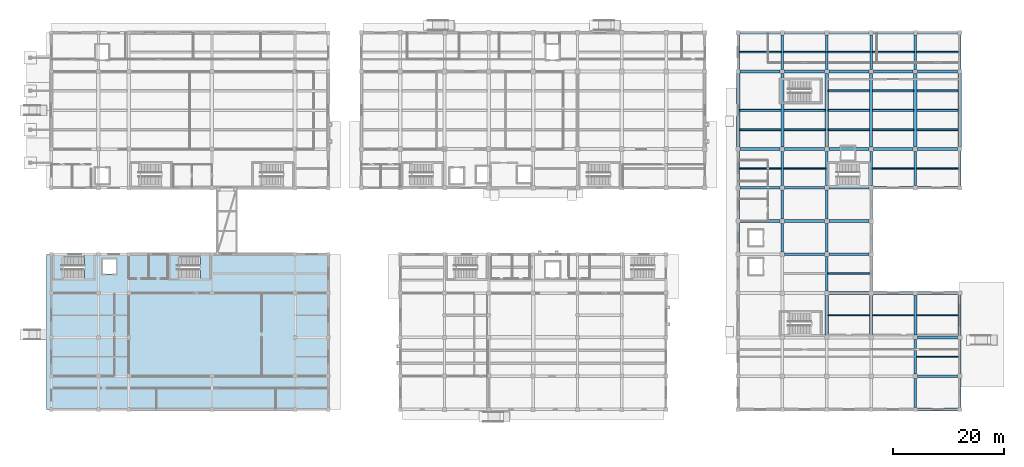
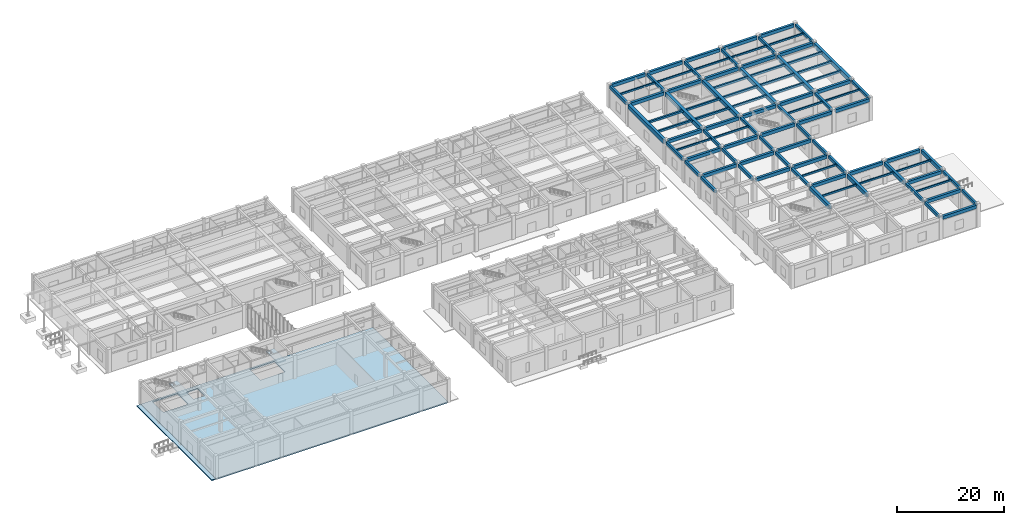
# One storey, part 11 of 40: 94 beams, 4 slabs, 2 elements without a shape of their own.
"""IFC4 building model written with IfcOpenShell, lengths in metres."""

from ifc_helpers import new_model, si_unit, direction, frame, origin, origin_2d, place, context, subcontext, project, spatial, polyline, rectangle, outline, extrude, material, layer, layer_set, material_profile, profile_set, type_object, element, aggregate, save


model = new_model("IFC4")

# Units and contexts
model_context = context("Model", 3, precision=1e-05, world=origin(), true_north=direction((0.0, 1.0)))
body_context = subcontext(model_context, "Body", "Model", "MODEL_VIEW")
ifc_project = project(units=[si_unit("LENGTHUNIT", "METRE"), si_unit("AREAUNIT", "SQUARE_METRE"), si_unit("VOLUMEUNIT", "CUBIC_METRE"), si_unit("PLANEANGLEUNIT", "RADIAN"), si_unit("MASSUNIT", "GRAM", prefix="KILO")], contexts=[model_context])

# Site, building, storey
site_placement = place(None, origin())
site = spatial("IfcSite", under=ifc_project, at=site_placement, CompositionType="ELEMENT")
building_placement = place(site_placement, origin())
building = spatial("IfcBuilding", under=site, at=building_placement, Name="Naurynzar Civic Courthouse", CompositionType="ELEMENT")
storey_placement = place(building_placement, origin())
storey = spatial("IfcBuildingStorey", under=building, at=storey_placement, Name="L01", CompositionType="ELEMENT", Elevation=0.0)

# Beams
ifc_material_1 = material(Name="Concrete C40/50", Category="concrete")
ifc_material_profile_1 = material_profile(ifc_material_1, rectangle(XDim=0.25, YDim=0.39990234375, at=origin_2d()), Name="RCB 250x400")
ifc_profile_set_1 = profile_set([ifc_material_profile_1], Name="Concrete C40/50")
beam_type_1 = type_object("IfcBeamType", Name="BM-JST-250x400", PredefinedType="JOIST", material=ifc_profile_set_1)
beam_1_placement = place(storey_placement, frame((162.22509765625, 13.5, 4.89990234375), z_axis=(1.0, 0.0, 0.0), x_axis=(0.0, 1.0, 0.0)))
element("IfcBeam", 1, at=beam_1_placement, inside=storey, type_object=beam_type_1, Name="V5 secondary rib 2223 L01", PredefinedType="JOIST", context=body_context, shape_type="SweptSolid", body=[
    extrude(rectangle(XDim=0.25, YDim=0.39990234375, at=origin_2d()), origin(), (0.0, 0.0, 1.0), 7.5498046875),
])
for number, where, z_axis, x_axis, name in (
    (2, (146.27490234375, 21.0, 4.89990234375), (1.0, 0.0, 0.0), (0.0, 1.0, 0.0), "V5 secondary rib 2224 L01"),
    (3, (154.27490234375, 21.0, 4.89990234375), (1.0, 0.0, 0.0), (0.0, 1.0, 0.0), "V5 secondary rib 2225 L01"),
    (4, (162.27490234375, 21.0, 4.89990234375), (1.0, 0.0, 0.0), (0.0, 1.0, 0.0), "V5 secondary rib 2226 L01"),
):
    element("IfcBeam", number, at=place(storey_placement, frame(where, z_axis=z_axis, x_axis=x_axis)), inside=storey, type_object=beam_type_1, Name=name, PredefinedType="JOIST", context=body_context, shape_type="SweptSolid", body=[
        extrude(rectangle(XDim=0.25, YDim=0.39990234375, at=origin_2d()), origin(), (0.0, 0.0, 1.0), 7.4501953125),
    ])
for number, where, z_axis, x_axis, name in (
    (5, (146.22509765625, 28.5, 4.89990234375), (1.0, 0.0, 0.0), (0.0, 1.0, 0.0), "V5 secondary rib 2228 L01"),
    (6, (130.22509765625, 47.5, 4.89990234375), (1.0, 0.0, 0.0), (0.0, 1.0, 0.0), "V5 secondary rib 2229 L01"),
    (7, (138.22509765625, 47.5, 4.89990234375), (1.0, 0.0, 0.0), (0.0, 1.0, 0.0), "V5 secondary rib 2230 L01"),
    (8, (154.22509765625, 47.5, 4.89990234375), (1.0, 0.0, 0.0), (0.0, 1.0, 0.0), "V5 secondary rib 2231 L01"),
    (9, (162.22509765625, 47.5, 4.89990234375), (1.0, 0.0, 0.0), (0.0, 1.0, 0.0), "V5 secondary rib 2232 L01"),
    (10, (130.22509765625, 68.5, 4.89990234375), (1.0, 0.0, 0.0), (0.0, 1.0, 0.0), "V5 secondary rib 2246 L01"),
    (11, (138.22509765625, 68.5, 4.89990234375), (1.0, 0.0, 0.0), (0.0, 1.0, 0.0), "V5 secondary rib 2247 L01"),
    (12, (146.22509765625, 68.5, 4.89990234375), (1.0, 0.0, 0.0), (0.0, 1.0, 0.0), "V5 secondary rib 2248 L01"),
    (13, (154.22509765625, 68.5, 4.89990234375), (1.0, 0.0, 0.0), (0.0, 1.0, 0.0), "V5 secondary rib 2249 L01"),
    (14, (162.22509765625, 68.5, 4.89990234375), (1.0, 0.0, 0.0), (0.0, 1.0, 0.0), "V5 secondary rib 2250 L01"),
):
    element("IfcBeam", number, at=place(storey_placement, frame(where, z_axis=z_axis, x_axis=x_axis)), inside=storey, type_object=beam_type_1, Name=name, PredefinedType="JOIST", context=body_context, shape_type="SweptSolid", body=[
        extrude(rectangle(XDim=0.25, YDim=0.39990234375, at=origin_2d()), origin(), (0.0, 0.0, 1.0), 7.5498046875),
    ])
ifc_material_2 = material(Name="Concrete C40/50", Category="concrete")
ifc_material_profile_2 = material_profile(ifc_material_2, rectangle(XDim=0.60009765625, YDim=0.949951171875, at=origin_2d()), Name="PTB 600x950")
ifc_profile_set_2 = profile_set([ifc_material_profile_2], Name="Concrete C40/50")
beam_type_2 = type_object("IfcBeamType", Name="BM-PT-600x950", PredefinedType="T_BEAM", material=ifc_profile_set_2)
beam_2_placement = place(storey_placement, frame((130.0, 51.375, 4.625), z_axis=(0.0, 1.0, 0.0), x_axis=(-1.0, 0.0, 0.0)))
element("IfcBeam", 15, at=beam_2_placement, inside=storey, type_object=beam_type_2, Name="V5 girder Y-2178 L01", PredefinedType="T_BEAM", context=body_context, shape_type="SweptSolid", body=[
    extrude(rectangle(XDim=0.60009765625, YDim=0.949951171875, at=origin_2d()), origin(), (0.0, 0.0, 1.0), 13.25),
])
for number, where, z_axis, x_axis, name in (
    (16, (138.0, 51.39990234375, 4.625), (0.0, 1.0, 0.0), (-1.0, 0.0, 0.0), "V5 girder Y-2187 L01"),
    (17, (146.0, 51.39990234375, 4.625), (0.0, 1.0, 0.0), (-1.0, 0.0, 0.0), "V5 girder Y-2196 L01"),
    (18, (154.0, 51.39990234375, 4.625), (0.0, 1.0, 0.0), (-1.0, 0.0, 0.0), "V5 girder Y-2205 L01"),
    (19, (162.0, 51.39990234375, 4.625), (0.0, 1.0, 0.0), (-1.0, 0.0, 0.0), "V5 girder Y-2211 L01"),
):
    element("IfcBeam", number, at=place(storey_placement, frame(where, z_axis=z_axis, x_axis=x_axis)), inside=storey, type_object=beam_type_2, Name=name, PredefinedType="T_BEAM", context=body_context, shape_type="SweptSolid", body=[
        extrude(rectangle(XDim=0.60009765625, YDim=0.949951171875, at=origin_2d()), origin(), (0.0, 0.0, 1.0), 13.2001953125),
    ])
beam_3_placement = place(storey_placement, frame((170.0, 51.375, 4.625), z_axis=(0.0, 1.0, 0.0), x_axis=(-1.0, 0.0, 0.0)))
element("IfcBeam", 20, at=beam_3_placement, inside=storey, type_object=beam_type_2, Name="V5 girder Y-2217 L01", PredefinedType="T_BEAM", context=body_context, shape_type="SweptSolid", body=[
    extrude(rectangle(XDim=0.60009765625, YDim=0.949951171875, at=origin_2d()), origin(), (0.0, 0.0, 1.0), 13.25),
])
ifc_material_3 = material(Name="Concrete C40/50", Category="concrete")
ifc_material_profile_3 = material_profile(ifc_material_3, rectangle(XDim=0.35009765625, YDim=0.449951171875, at=origin_2d()), Name="RCB 350x450")
ifc_profile_set_3 = profile_set([ifc_material_profile_3], Name="Concrete C40/50")
beam_type_3 = type_object("IfcBeamType", Name="BM-RC-350x450", PredefinedType="BEAM", material=ifc_profile_set_3)
for number, where, z_axis, x_axis, name in (
    (21, (130.300048828125, 54.5, 4.875), (1.0, 0.0, 0.0), (0.0, 1.0, 0.0), "V5 secondary rib 2233 L01"),
    (22, (130.300048828125, 58.0, 4.875), (1.0, 0.0, 0.0), (0.0, 1.0, 0.0), "V5 secondary rib 2234 L01"),
    (23, (138.300048828125, 54.5, 4.875), (1.0, 0.0, 0.0), (0.0, 1.0, 0.0), "V5 secondary rib 2235 L01"),
    (24, (138.300048828125, 58.0, 4.875), (1.0, 0.0, 0.0), (0.0, 1.0, 0.0), "V5 secondary rib 2236 L01"),
    (25, (146.300048828125, 54.5, 4.875), (1.0, 0.0, 0.0), (0.0, 1.0, 0.0), "V5 secondary rib 2237 L01"),
    (26, (146.300048828125, 58.0, 4.875), (1.0, 0.0, 0.0), (0.0, 1.0, 0.0), "V5 secondary rib 2238 L01"),
    (27, (146.300048828125, 61.5, 4.875), (1.0, 0.0, 0.0), (0.0, 1.0, 0.0), "V5 secondary rib 2239 L01"),
    (28, (154.300048828125, 54.5, 4.875), (1.0, 0.0, 0.0), (0.0, 1.0, 0.0), "V5 secondary rib 2240 L01"),
    (29, (154.300048828125, 58.0, 4.875), (1.0, 0.0, 0.0), (0.0, 1.0, 0.0), "V5 secondary rib 2241 L01"),
    (30, (154.300048828125, 61.5, 4.875), (1.0, 0.0, 0.0), (0.0, 1.0, 0.0), "V5 secondary rib 2242 L01"),
    (31, (162.300048828125, 54.5, 4.875), (1.0, 0.0, 0.0), (0.0, 1.0, 0.0), "V5 secondary rib 2243 L01"),
    (32, (162.300048828125, 58.0, 4.875), (1.0, 0.0, 0.0), (0.0, 1.0, 0.0), "V5 secondary rib 2244 L01"),
    (33, (162.300048828125, 61.5, 4.875), (1.0, 0.0, 0.0), (0.0, 1.0, 0.0), "V5 secondary rib 2245 L01"),
):
    element("IfcBeam", number, at=place(storey_placement, frame(where, z_axis=z_axis, x_axis=x_axis)), inside=storey, type_object=beam_type_3, Name=name, PredefinedType="BEAM", context=body_context, shape_type="SweptSolid", body=[
        extrude(rectangle(XDim=0.35009765625, YDim=0.449951171875, at=origin_2d()), origin(), (0.0, 0.0, 1.0), 7.39990234375),
    ])
ifc_material_4 = material(Name="Concrete C40/50", Category="concrete")
ifc_material_profile_4 = material_profile(ifc_material_4, rectangle(XDim=0.449951171875, YDim=0.64990234375, at=origin_2d()), Name="RCB 450x650")
ifc_profile_set_4 = profile_set([ifc_material_profile_4], Name="Concrete C40/50")
beam_type_4 = type_object("IfcBeamType", Name="BM-RC-450x650", PredefinedType="BEAM", material=ifc_profile_set_4)
for number, where, z_axis, x_axis, name in (
    (34, (130.0, 32.375, 4.77490234375), (0.0, 1.0, 0.0), (-1.0, 0.0, 0.0), "V5 girder Y-2175 L01"),
    (35, (130.0, 38.375, 4.77490234375), (0.0, 1.0, 0.0), (-1.0, 0.0, 0.0), "V5 girder Y-2176 L01"),
):
    element("IfcBeam", number, at=place(storey_placement, frame(where, z_axis=z_axis, x_axis=x_axis)), inside=storey, type_object=beam_type_4, Name=name, PredefinedType="BEAM", context=body_context, shape_type="SweptSolid", body=[
        extrude(rectangle(XDim=0.449951171875, YDim=0.64990234375, at=origin_2d()), origin(), (0.0, 0.0, 1.0), 5.25),
    ])
for number, where, z_axis, x_axis, name in (
    (36, (130.0, 44.375, 4.77490234375), (0.0, 1.0, 0.0), (-1.0, 0.0, 0.0), "V5 girder Y-2177 L01"),
    (37, (130.0, 65.375, 4.77490234375), (0.0, 1.0, 0.0), (-1.0, 0.0, 0.0), "V5 girder Y-2179 L01"),
):
    element("IfcBeam", number, at=place(storey_placement, frame(where, z_axis=z_axis, x_axis=x_axis)), inside=storey, type_object=beam_type_4, Name=name, PredefinedType="BEAM", context=body_context, shape_type="SweptSolid", body=[
        extrude(rectangle(XDim=0.449951171875, YDim=0.64990234375, at=origin_2d()), origin(), (0.0, 0.0, 1.0), 6.25),
    ])
for number, where, z_axis, x_axis, name in (
    (38, (138.0, 32.39990234375, 4.77490234375), (0.0, 1.0, 0.0), (-1.0, 0.0, 0.0), "V5 girder Y-2184 L01"),
    (39, (138.0, 38.39990234375, 4.77490234375), (0.0, 1.0, 0.0), (-1.0, 0.0, 0.0), "V5 girder Y-2185 L01"),
):
    element("IfcBeam", number, at=place(storey_placement, frame(where, z_axis=z_axis, x_axis=x_axis)), inside=storey, type_object=beam_type_4, Name=name, PredefinedType="BEAM", context=body_context, shape_type="SweptSolid", body=[
        extrude(rectangle(XDim=0.449951171875, YDim=0.64990234375, at=origin_2d()), origin(), (0.0, 0.0, 1.0), 5.2001953125),
    ])
beam_4_placement = place(storey_placement, frame((138.0, 44.39990234375, 4.77490234375), z_axis=(0.0, 1.0, 0.0), x_axis=(-1.0, 0.0, 0.0)))
element("IfcBeam", 40, at=beam_4_placement, inside=storey, type_object=beam_type_4, Name="V5 girder Y-2186 L01", PredefinedType="BEAM", context=body_context, shape_type="SweptSolid", body=[
    extrude(rectangle(XDim=0.449951171875, YDim=0.64990234375, at=origin_2d()), origin(), (0.0, 0.0, 1.0), 6.2001953125),
])
beam_5_placement = place(storey_placement, frame((138.0, 65.39990234375, 4.77490234375), z_axis=(0.0, 1.0, 0.0), x_axis=(-1.0, 0.0, 0.0)))
element("IfcBeam", 41, at=beam_5_placement, inside=storey, type_object=beam_type_4, Name="V5 girder Y-2188 L01", PredefinedType="BEAM", context=body_context, shape_type="SweptSolid", body=[
    extrude(rectangle(XDim=0.449951171875, YDim=0.64990234375, at=origin_2d()), origin(), (0.0, 0.0, 1.0), 6.22509765625),
])
beam_6_placement = place(storey_placement, frame((146.0, 25.39990234375, 4.77490234375), z_axis=(0.0, 1.0, 0.0), x_axis=(-1.0, 0.0, 0.0)))
element("IfcBeam", 42, at=beam_6_placement, inside=storey, type_object=beam_type_4, Name="V5 girder Y-2192 L01", PredefinedType="BEAM", context=body_context, shape_type="SweptSolid", body=[
    extrude(rectangle(XDim=0.449951171875, YDim=0.64990234375, at=origin_2d()), origin(), (0.0, 0.0, 1.0), 6.2001953125),
])
for number, where, z_axis, x_axis, name in (
    (43, (146.0, 32.39990234375, 4.77490234375), (0.0, 1.0, 0.0), (-1.0, 0.0, 0.0), "V5 girder Y-2193 L01"),
    (44, (146.0, 38.39990234375, 4.77490234375), (0.0, 1.0, 0.0), (-1.0, 0.0, 0.0), "V5 girder Y-2194 L01"),
):
    element("IfcBeam", number, at=place(storey_placement, frame(where, z_axis=z_axis, x_axis=x_axis)), inside=storey, type_object=beam_type_4, Name=name, PredefinedType="BEAM", context=body_context, shape_type="SweptSolid", body=[
        extrude(rectangle(XDim=0.449951171875, YDim=0.64990234375, at=origin_2d()), origin(), (0.0, 0.0, 1.0), 5.2001953125),
    ])
beam_7_placement = place(storey_placement, frame((146.0, 44.39990234375, 4.77490234375), z_axis=(0.0, 1.0, 0.0), x_axis=(-1.0, 0.0, 0.0)))
element("IfcBeam", 45, at=beam_7_placement, inside=storey, type_object=beam_type_4, Name="V5 girder Y-2195 L01", PredefinedType="BEAM", context=body_context, shape_type="SweptSolid", body=[
    extrude(rectangle(XDim=0.449951171875, YDim=0.64990234375, at=origin_2d()), origin(), (0.0, 0.0, 1.0), 6.2001953125),
])
beam_8_placement = place(storey_placement, frame((146.0, 65.39990234375, 4.77490234375), z_axis=(0.0, 1.0, 0.0), x_axis=(-1.0, 0.0, 0.0)))
element("IfcBeam", 46, at=beam_8_placement, inside=storey, type_object=beam_type_4, Name="V5 girder Y-2197 L01", PredefinedType="BEAM", context=body_context, shape_type="SweptSolid", body=[
    extrude(rectangle(XDim=0.449951171875, YDim=0.64990234375, at=origin_2d()), origin(), (0.0, 0.0, 1.0), 6.22509765625),
])
beam_9_placement = place(storey_placement, frame((154.0, 25.39990234375, 4.77490234375), z_axis=(0.0, 1.0, 0.0), x_axis=(-1.0, 0.0, 0.0)))
element("IfcBeam", 47, at=beam_9_placement, inside=storey, type_object=beam_type_4, Name="V5 girder Y-2201 L01", PredefinedType="BEAM", context=body_context, shape_type="SweptSolid", body=[
    extrude(rectangle(XDim=0.449951171875, YDim=0.64990234375, at=origin_2d()), origin(), (0.0, 0.0, 1.0), 6.2001953125),
])
for number, where, z_axis, x_axis, name in (
    (48, (154.0, 32.39990234375, 4.77490234375), (0.0, 1.0, 0.0), (-1.0, 0.0, 0.0), "V5 girder Y-2202 L01"),
    (49, (154.0, 38.39990234375, 4.77490234375), (0.0, 1.0, 0.0), (-1.0, 0.0, 0.0), "V5 girder Y-2203 L01"),
):
    element("IfcBeam", number, at=place(storey_placement, frame(where, z_axis=z_axis, x_axis=x_axis)), inside=storey, type_object=beam_type_4, Name=name, PredefinedType="BEAM", context=body_context, shape_type="SweptSolid", body=[
        extrude(rectangle(XDim=0.449951171875, YDim=0.64990234375, at=origin_2d()), origin(), (0.0, 0.0, 1.0), 5.2001953125),
    ])
beam_10_placement = place(storey_placement, frame((154.0, 44.39990234375, 4.77490234375), z_axis=(0.0, 1.0, 0.0), x_axis=(-1.0, 0.0, 0.0)))
element("IfcBeam", 50, at=beam_10_placement, inside=storey, type_object=beam_type_4, Name="V5 girder Y-2204 L01", PredefinedType="BEAM", context=body_context, shape_type="SweptSolid", body=[
    extrude(rectangle(XDim=0.449951171875, YDim=0.64990234375, at=origin_2d()), origin(), (0.0, 0.0, 1.0), 6.2001953125),
])
beam_11_placement = place(storey_placement, frame((154.0, 65.39990234375, 4.77490234375), z_axis=(0.0, 1.0, 0.0), x_axis=(-1.0, 0.0, 0.0)))
element("IfcBeam", 51, at=beam_11_placement, inside=storey, type_object=beam_type_4, Name="V5 girder Y-2206 L01", PredefinedType="BEAM", context=body_context, shape_type="SweptSolid", body=[
    extrude(rectangle(XDim=0.449951171875, YDim=0.64990234375, at=origin_2d()), origin(), (0.0, 0.0, 1.0), 6.22509765625),
])
beam_12_placement = place(storey_placement, frame((162.0, 4.375, 4.77490234375), z_axis=(0.0, 1.0, 0.0), x_axis=(-1.0, 0.0, 0.0)))
element("IfcBeam", 52, at=beam_12_placement, inside=storey, type_object=beam_type_4, Name="V5 girder Y-2207 L01", PredefinedType="BEAM", context=body_context, shape_type="SweptSolid", body=[
    extrude(rectangle(XDim=0.449951171875, YDim=0.64990234375, at=origin_2d()), origin(), (0.0, 0.0, 1.0), 5.22509765625),
])
for number, where, z_axis, x_axis, name in (
    (53, (162.0, 10.39990234375, 4.77490234375), (0.0, 1.0, 0.0), (-1.0, 0.0, 0.0), "V5 girder Y-2208 L01"),
    (54, (162.0, 44.39990234375, 4.77490234375), (0.0, 1.0, 0.0), (-1.0, 0.0, 0.0), "V5 girder Y-2210 L01"),
):
    element("IfcBeam", number, at=place(storey_placement, frame(where, z_axis=z_axis, x_axis=x_axis)), inside=storey, type_object=beam_type_4, Name=name, PredefinedType="BEAM", context=body_context, shape_type="SweptSolid", body=[
        extrude(rectangle(XDim=0.449951171875, YDim=0.64990234375, at=origin_2d()), origin(), (0.0, 0.0, 1.0), 6.2001953125),
    ])
beam_13_placement = place(storey_placement, frame((162.0, 65.39990234375, 4.77490234375), z_axis=(0.0, 1.0, 0.0), x_axis=(-1.0, 0.0, 0.0)))
element("IfcBeam", 55, at=beam_13_placement, inside=storey, type_object=beam_type_4, Name="V5 girder Y-2212 L01", PredefinedType="BEAM", context=body_context, shape_type="SweptSolid", body=[
    extrude(rectangle(XDim=0.449951171875, YDim=0.64990234375, at=origin_2d()), origin(), (0.0, 0.0, 1.0), 6.22509765625),
])
beam_14_placement = place(storey_placement, frame((170.0, 4.375, 4.77490234375), z_axis=(0.0, 1.0, 0.0), x_axis=(-1.0, 0.0, 0.0)))
element("IfcBeam", 56, at=beam_14_placement, inside=storey, type_object=beam_type_4, Name="V5 girder Y-2213 L01", PredefinedType="BEAM", context=body_context, shape_type="SweptSolid", body=[
    extrude(rectangle(XDim=0.449951171875, YDim=0.64990234375, at=origin_2d()), origin(), (0.0, 0.0, 1.0), 5.25),
])
for number, where, z_axis, x_axis, name in (
    (57, (170.0, 10.375, 4.77490234375), (0.0, 1.0, 0.0), (-1.0, 0.0, 0.0), "V5 girder Y-2214 L01"),
    (58, (170.0, 44.375, 4.77490234375), (0.0, 1.0, 0.0), (-1.0, 0.0, 0.0), "V5 girder Y-2216 L01"),
    (59, (170.0, 65.375, 4.77490234375), (0.0, 1.0, 0.0), (-1.0, 0.0, 0.0), "V5 girder Y-2218 L01"),
):
    element("IfcBeam", number, at=place(storey_placement, frame(where, z_axis=z_axis, x_axis=x_axis)), inside=storey, type_object=beam_type_4, Name=name, PredefinedType="BEAM", context=body_context, shape_type="SweptSolid", body=[
        extrude(rectangle(XDim=0.449951171875, YDim=0.64990234375, at=origin_2d()), origin(), (0.0, 0.0, 1.0), 6.25),
    ])
ifc_material_5 = material(Name="Concrete C40/50", Category="concrete")
ifc_material_profile_5 = material_profile(ifc_material_5, rectangle(XDim=0.5, YDim=0.75, at=origin_2d()), Name="RCB 500x750")
ifc_profile_set_5 = profile_set([ifc_material_profile_5], Name="Concrete C40/50")
beam_type_5 = type_object("IfcBeamType", Name="BM-RC-500x750", PredefinedType="BEAM", material=ifc_profile_set_5)
beam_15_placement = place(storey_placement, frame((162.375, 4.0, 4.72509765625), z_axis=(1.0, 0.0, 0.0), x_axis=(0.0, 1.0, 0.0)))
element("IfcBeam", 60, at=beam_15_placement, inside=storey, type_object=beam_type_5, Name="V5 beam X-2129 L01", PredefinedType="BEAM", context=body_context, shape_type="SweptSolid", body=[
    extrude(rectangle(XDim=0.5, YDim=0.75, at=origin_2d()), origin(), (0.0, 0.0, 1.0), 7.25),
])
for number, where, z_axis, x_axis, name in (
    (61, (162.39990234375, 10.0, 4.72509765625), (1.0, 0.0, 0.0), (0.0, 1.0, 0.0), "V5 beam X-2134 L01"),
    (62, (162.39990234375, 17.0, 4.72509765625), (1.0, 0.0, 0.0), (0.0, 1.0, 0.0), "V5 beam X-2139 L01"),
):
    element("IfcBeam", number, at=place(storey_placement, frame(where, z_axis=z_axis, x_axis=x_axis)), inside=storey, type_object=beam_type_5, Name=name, PredefinedType="BEAM", context=body_context, shape_type="SweptSolid", body=[
        extrude(rectangle(XDim=0.5, YDim=0.75, at=origin_2d()), origin(), (0.0, 0.0, 1.0), 7.22509765625),
    ])
for number, where, z_axis, x_axis, name in (
    (63, (146.39990234375, 25.0, 4.72509765625), (1.0, 0.0, 0.0), (0.0, 1.0, 0.0), "V5 beam X-2142 L01"),
    (64, (154.39990234375, 25.0, 4.72509765625), (1.0, 0.0, 0.0), (0.0, 1.0, 0.0), "V5 beam X-2143 L01"),
):
    element("IfcBeam", number, at=place(storey_placement, frame(where, z_axis=z_axis, x_axis=x_axis)), inside=storey, type_object=beam_type_5, Name=name, PredefinedType="BEAM", context=body_context, shape_type="SweptSolid", body=[
        extrude(rectangle(XDim=0.5, YDim=0.75, at=origin_2d()), origin(), (0.0, 0.0, 1.0), 7.2001953125),
    ])
beam_16_placement = place(storey_placement, frame((162.39990234375, 25.0, 4.72509765625), z_axis=(1.0, 0.0, 0.0), x_axis=(0.0, 1.0, 0.0)))
element("IfcBeam", 65, at=beam_16_placement, inside=storey, type_object=beam_type_5, Name="V5 beam X-2144 L01", PredefinedType="BEAM", context=body_context, shape_type="SweptSolid", body=[
    extrude(rectangle(XDim=0.5, YDim=0.75, at=origin_2d()), origin(), (0.0, 0.0, 1.0), 7.22509765625),
])
for number, where, z_axis, x_axis, name in (
    (66, (138.39990234375, 32.0, 4.72509765625), (1.0, 0.0, 0.0), (0.0, 1.0, 0.0), "V5 beam X-2146 L01"),
    (67, (146.39990234375, 32.0, 4.72509765625), (1.0, 0.0, 0.0), (0.0, 1.0, 0.0), "V5 beam X-2147 L01"),
):
    element("IfcBeam", number, at=place(storey_placement, frame(where, z_axis=z_axis, x_axis=x_axis)), inside=storey, type_object=beam_type_5, Name=name, PredefinedType="BEAM", context=body_context, shape_type="SweptSolid", body=[
        extrude(rectangle(XDim=0.5, YDim=0.75, at=origin_2d()), origin(), (0.0, 0.0, 1.0), 7.2001953125),
    ])
beam_17_placement = place(storey_placement, frame((130.375, 38.0, 4.72509765625), z_axis=(1.0, 0.0, 0.0), x_axis=(0.0, 1.0, 0.0)))
element("IfcBeam", 68, at=beam_17_placement, inside=storey, type_object=beam_type_5, Name="V5 beam X-2148 L01", PredefinedType="BEAM", context=body_context, shape_type="SweptSolid", body=[
    extrude(rectangle(XDim=0.5, YDim=0.75, at=origin_2d()), origin(), (0.0, 0.0, 1.0), 7.22509765625),
])
for number, where, z_axis, x_axis, name in (
    (69, (138.39990234375, 38.0, 4.72509765625), (1.0, 0.0, 0.0), (0.0, 1.0, 0.0), "V5 beam X-2149 L01"),
    (70, (146.39990234375, 38.0, 4.72509765625), (1.0, 0.0, 0.0), (0.0, 1.0, 0.0), "V5 beam X-2150 L01"),
):
    element("IfcBeam", number, at=place(storey_placement, frame(where, z_axis=z_axis, x_axis=x_axis)), inside=storey, type_object=beam_type_5, Name=name, PredefinedType="BEAM", context=body_context, shape_type="SweptSolid", body=[
        extrude(rectangle(XDim=0.5, YDim=0.75, at=origin_2d()), origin(), (0.0, 0.0, 1.0), 7.2001953125),
    ])
beam_18_placement = place(storey_placement, frame((130.375, 44.0, 4.72509765625), z_axis=(1.0, 0.0, 0.0), x_axis=(0.0, 1.0, 0.0)))
element("IfcBeam", 71, at=beam_18_placement, inside=storey, type_object=beam_type_5, Name="V5 beam X-2151 L01", PredefinedType="BEAM", context=body_context, shape_type="SweptSolid", body=[
    extrude(rectangle(XDim=0.5, YDim=0.75, at=origin_2d()), origin(), (0.0, 0.0, 1.0), 7.22509765625),
])
for number, where, z_axis, x_axis, name in (
    (72, (138.39990234375, 44.0, 4.72509765625), (1.0, 0.0, 0.0), (0.0, 1.0, 0.0), "V5 beam X-2152 L01"),
    (73, (146.39990234375, 44.0, 4.72509765625), (1.0, 0.0, 0.0), (0.0, 1.0, 0.0), "V5 beam X-2153 L01"),
    (74, (154.39990234375, 44.0, 4.72509765625), (1.0, 0.0, 0.0), (0.0, 1.0, 0.0), "V5 beam X-2154 L01"),
):
    element("IfcBeam", number, at=place(storey_placement, frame(where, z_axis=z_axis, x_axis=x_axis)), inside=storey, type_object=beam_type_5, Name=name, PredefinedType="BEAM", context=body_context, shape_type="SweptSolid", body=[
        extrude(rectangle(XDim=0.5, YDim=0.75, at=origin_2d()), origin(), (0.0, 0.0, 1.0), 7.2001953125),
    ])
for number, where, z_axis, x_axis, name in (
    (75, (162.39990234375, 44.0, 4.72509765625), (1.0, 0.0, 0.0), (0.0, 1.0, 0.0), "V5 beam X-2155 L01"),
    (76, (130.375, 51.0, 4.72509765625), (1.0, 0.0, 0.0), (0.0, 1.0, 0.0), "V5 beam X-2156 L01"),
):
    element("IfcBeam", number, at=place(storey_placement, frame(where, z_axis=z_axis, x_axis=x_axis)), inside=storey, type_object=beam_type_5, Name=name, PredefinedType="BEAM", context=body_context, shape_type="SweptSolid", body=[
        extrude(rectangle(XDim=0.5, YDim=0.75, at=origin_2d()), origin(), (0.0, 0.0, 1.0), 7.22509765625),
    ])
for number, where, z_axis, x_axis, name in (
    (77, (138.39990234375, 51.0, 4.72509765625), (1.0, 0.0, 0.0), (0.0, 1.0, 0.0), "V5 beam X-2157 L01"),
    (78, (146.39990234375, 51.0, 4.72509765625), (1.0, 0.0, 0.0), (0.0, 1.0, 0.0), "V5 beam X-2158 L01"),
    (79, (154.39990234375, 51.0, 4.72509765625), (1.0, 0.0, 0.0), (0.0, 1.0, 0.0), "V5 beam X-2159 L01"),
):
    element("IfcBeam", number, at=place(storey_placement, frame(where, z_axis=z_axis, x_axis=x_axis)), inside=storey, type_object=beam_type_5, Name=name, PredefinedType="BEAM", context=body_context, shape_type="SweptSolid", body=[
        extrude(rectangle(XDim=0.5, YDim=0.75, at=origin_2d()), origin(), (0.0, 0.0, 1.0), 7.2001953125),
    ])
for number, where, z_axis, x_axis, name in (
    (80, (162.39990234375, 51.0, 4.72509765625), (1.0, 0.0, 0.0), (0.0, 1.0, 0.0), "V5 beam X-2160 L01"),
    (81, (130.375, 65.0, 4.72509765625), (1.0, 0.0, 0.0), (0.0, 1.0, 0.0), "V5 beam X-2161 L01"),
):
    element("IfcBeam", number, at=place(storey_placement, frame(where, z_axis=z_axis, x_axis=x_axis)), inside=storey, type_object=beam_type_5, Name=name, PredefinedType="BEAM", context=body_context, shape_type="SweptSolid", body=[
        extrude(rectangle(XDim=0.5, YDim=0.75, at=origin_2d()), origin(), (0.0, 0.0, 1.0), 7.22509765625),
    ])
for number, where, z_axis, x_axis, name in (
    (82, (138.39990234375, 65.0, 4.72509765625), (1.0, 0.0, 0.0), (0.0, 1.0, 0.0), "V5 beam X-2162 L01"),
    (83, (146.39990234375, 65.0, 4.72509765625), (1.0, 0.0, 0.0), (0.0, 1.0, 0.0), "V5 beam X-2163 L01"),
    (84, (154.39990234375, 65.0, 4.72509765625), (1.0, 0.0, 0.0), (0.0, 1.0, 0.0), "V5 beam X-2164 L01"),
):
    element("IfcBeam", number, at=place(storey_placement, frame(where, z_axis=z_axis, x_axis=x_axis)), inside=storey, type_object=beam_type_5, Name=name, PredefinedType="BEAM", context=body_context, shape_type="SweptSolid", body=[
        extrude(rectangle(XDim=0.5, YDim=0.75, at=origin_2d()), origin(), (0.0, 0.0, 1.0), 7.2001953125),
    ])
beam_19_placement = place(storey_placement, frame((162.39990234375, 65.0, 4.72509765625), z_axis=(1.0, 0.0, 0.0), x_axis=(0.0, 1.0, 0.0)))
element("IfcBeam", 85, at=beam_19_placement, inside=storey, type_object=beam_type_5, Name="V5 beam X-2165 L01", PredefinedType="BEAM", context=body_context, shape_type="SweptSolid", body=[
    extrude(rectangle(XDim=0.5, YDim=0.75, at=origin_2d()), origin(), (0.0, 0.0, 1.0), 7.22509765625),
])
for number, where, z_axis, x_axis, name in (
    (86, (130.375, 72.0, 4.72509765625), (1.0, 0.0, 0.0), (0.0, 1.0, 0.0), "V5 beam X-2166 L01"),
    (87, (138.375, 72.0, 4.72509765625), (1.0, 0.0, 0.0), (0.0, 1.0, 0.0), "V5 beam X-2167 L01"),
    (88, (146.375, 72.0, 4.72509765625), (1.0, 0.0, 0.0), (0.0, 1.0, 0.0), "V5 beam X-2168 L01"),
    (89, (154.375, 72.0, 4.72509765625), (1.0, 0.0, 0.0), (0.0, 1.0, 0.0), "V5 beam X-2169 L01"),
    (90, (162.375, 72.0, 4.72509765625), (1.0, 0.0, 0.0), (0.0, 1.0, 0.0), "V5 beam X-2170 L01"),
):
    element("IfcBeam", number, at=place(storey_placement, frame(where, z_axis=z_axis, x_axis=x_axis)), inside=storey, type_object=beam_type_5, Name=name, PredefinedType="BEAM", context=body_context, shape_type="SweptSolid", body=[
        extrude(rectangle(XDim=0.5, YDim=0.75, at=origin_2d()), origin(), (0.0, 0.0, 1.0), 7.25),
    ])
ifc_material_6 = material(Name="Concrete C40/50", Category="concrete")
ifc_material_profile_6 = material_profile(ifc_material_6, rectangle(XDim=0.550048828125, YDim=0.89990234375, at=origin_2d()), Name="RCB 550x900")
ifc_profile_set_6 = profile_set([ifc_material_profile_6], Name="Concrete C40/50")
beam_type_6 = type_object("IfcBeamType", Name="BM-RC-550x900", PredefinedType="T_BEAM", material=ifc_profile_set_6)
for number, where, z_axis, x_axis, name in (
    (91, (146.0, 17.39990234375, 4.64990234375), (0.0, 1.0, 0.0), (-1.0, 0.0, 0.0), "V5 girder Y-2191 L01"),
    (92, (154.0, 17.39990234375, 4.64990234375), (0.0, 1.0, 0.0), (-1.0, 0.0, 0.0), "V5 girder Y-2200 L01"),
    (93, (162.0, 17.39990234375, 4.64990234375), (0.0, 1.0, 0.0), (-1.0, 0.0, 0.0), "V5 girder Y-2209 L01"),
):
    element("IfcBeam", number, at=place(storey_placement, frame(where, z_axis=z_axis, x_axis=x_axis)), inside=storey, type_object=beam_type_6, Name=name, PredefinedType="T_BEAM", context=body_context, shape_type="SweptSolid", body=[
        extrude(rectangle(XDim=0.550048828125, YDim=0.89990234375, at=origin_2d()), origin(), (0.0, 0.0, 1.0), 7.2001953125),
    ])
beam_20_placement = place(storey_placement, frame((170.0, 17.375, 4.64990234375), z_axis=(0.0, 1.0, 0.0), x_axis=(-1.0, 0.0, 0.0)))
element("IfcBeam", 94, at=beam_20_placement, inside=storey, type_object=beam_type_6, Name="V5 girder Y-2215 L01", PredefinedType="T_BEAM", context=body_context, shape_type="SweptSolid", body=[
    extrude(rectangle(XDim=0.550048828125, YDim=0.89990234375, at=origin_2d()), origin(), (0.0, 0.0, 1.0), 7.25),
])

# Slabs
ifc_material_7 = material(Name="Concrete C35/45", Category="concrete")
ifc_layer_1 = layer(ifc_material_7, 0.219970703125)
ifc_layer_set_1 = layer_set([ifc_layer_1], Name="SLB-APRON-220")
slab_type_1 = type_object("IfcSlabType", Name="SLB-APRON-220", PredefinedType="BASESLAB", material=ifc_layer_set_1)
slab_1_placement = place(storey_placement, frame((0.0, 0.0, -0.219970703125)))
element("IfcSlab", 95, at=slab_1_placement, inside=storey, type_object=slab_type_1, Name="West public hall entrance forecourt paving slab", PredefinedType="BASESLAB", context=body_context, shape_type="SweptSolid", body=[
    extrude(outline(polyline([(5.10009765625, 4.0), (6.0, 4.0), (6.0, 32.0), (5.10009765625, 32.0), (5.10009765625, 4.0)])), origin(), (0.0, 0.0, 1.0), 0.219970703125),
])
ifc_material_8 = material(Name="Concrete C35/45", Category="concrete")
ifc_layer_2 = layer(ifc_material_8, 0.260009765625)
ifc_layer_set_2 = layer_set([ifc_layer_2], Name="SLB-HALL-260")
slab_type_2 = type_object("IfcSlabType", Name="SLB-HALL-260", PredefinedType="FLOOR", material=ifc_layer_set_2)
slab_2_placement = place(storey_placement, frame((0.0, 0.0, -0.260009765625)))
element("IfcSlab", 96, at=slab_2_placement, inside=storey, type_object=slab_type_2, Name="V4 floor slab L01", PredefinedType="FLOOR", context=body_context, shape_type="SweptSolid", body=[
    extrude(outline(polyline([(56.0, 4.0), (56.0, 32.0), (6.0, 32.0), (6.0, 4.0), (56.0, 4.0)]), holes=[polyline([(8.280029296875, 27.60009765625), (13.64990234375, 27.60009765625), (13.64990234375, 31.60009765625), (8.280029296875, 31.60009765625), (8.280029296875, 27.60009765625)]), polyline([(29.179931640625, 27.60009765625), (34.550048828125, 27.60009765625), (34.550048828125, 31.60009765625), (29.179931640625, 31.60009765625), (29.179931640625, 27.60009765625)]), polyline([(15.300048828125, 28.449951171875), (17.699951171875, 28.449951171875), (17.699951171875, 31.14990234375), (15.300048828125, 31.14990234375), (15.300048828125, 28.449951171875)])]), origin(), (0.0, 0.0, 1.0), 0.260009765625),
])

# Stair, slab
ifc_material_9 = material(Name="Concrete C35/45", Category="concrete")
stair_type = type_object("IfcStairType", Name="STAIR-CORE-1600", PredefinedType="TWO_STRAIGHT_RUN_STAIR", material=ifc_material_9)
stair_1_placement = place(storey_placement, origin())
stair_1 = element("IfcStair", 97, at=stair_1_placement, inside=storey, type_object=stair_type, Name="Enclosed escape stair ST-V4A L01", PredefinedType="TWO_STRAIGHT_RUN_STAIR")
ifc_material_10 = material(Name="Concrete C35/45", Category="concrete")
ifc_layer_3 = layer(ifc_material_10, 0.199951171875)
ifc_layer_set_3 = layer_set([ifc_layer_3], Name="SLB-LAND-200")
slab_type_3 = type_object("IfcSlabType", Name="SLB-LAND-200", PredefinedType="LANDING", material=ifc_layer_set_3)
slab_3_placement = place(storey_placement, frame((0.0, 0.0, 2.5)))
slab_3 = element("IfcSlab", 98, at=slab_3_placement, type_object=slab_type_3, Name="ST-V4A-L01 landing 1", PredefinedType="LANDING", context=body_context, shape_type="SweptSolid", body=[
    extrude(outline(polyline([(12.0, 27.47998046875), (13.77001953125, 27.47998046875), (13.77001953125, 31.919921875), (12.0, 31.919921875), (12.0, 27.47998046875)])), origin(), (0.0, 0.0, 1.0), 0.199951171875),
])
aggregate(stair_1, [slab_3])

stair_2_placement = place(storey_placement, origin())
stair_2 = element("IfcStair", 99, at=stair_2_placement, inside=storey, type_object=stair_type, Name="Enclosed escape stair ST-V4B L01", PredefinedType="TWO_STRAIGHT_RUN_STAIR")
slab_4_placement = place(storey_placement, frame((0.0, 0.0, 2.5)))
slab_4 = element("IfcSlab", 100, at=slab_4_placement, type_object=slab_type_3, Name="ST-V4B-L01 landing 1", PredefinedType="LANDING", context=body_context, shape_type="SweptSolid", body=[
    extrude(outline(polyline([(32.89990234375, 27.47998046875), (34.669921875, 27.47998046875), (34.669921875, 31.919921875), (32.89990234375, 31.919921875), (32.89990234375, 27.47998046875)])), origin(), (0.0, 0.0, 1.0), 0.199951171875),
])
aggregate(stair_2, [slab_4])

save(model, "model.ifc")
